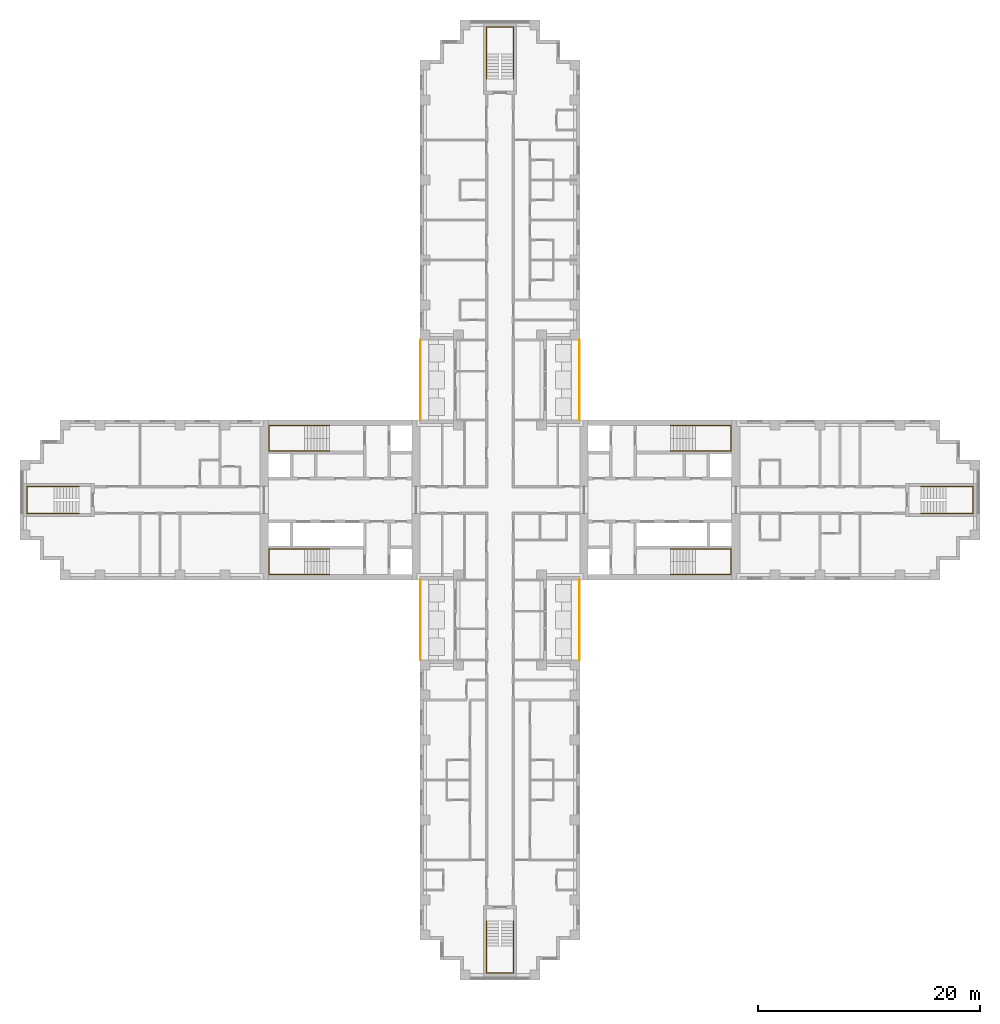
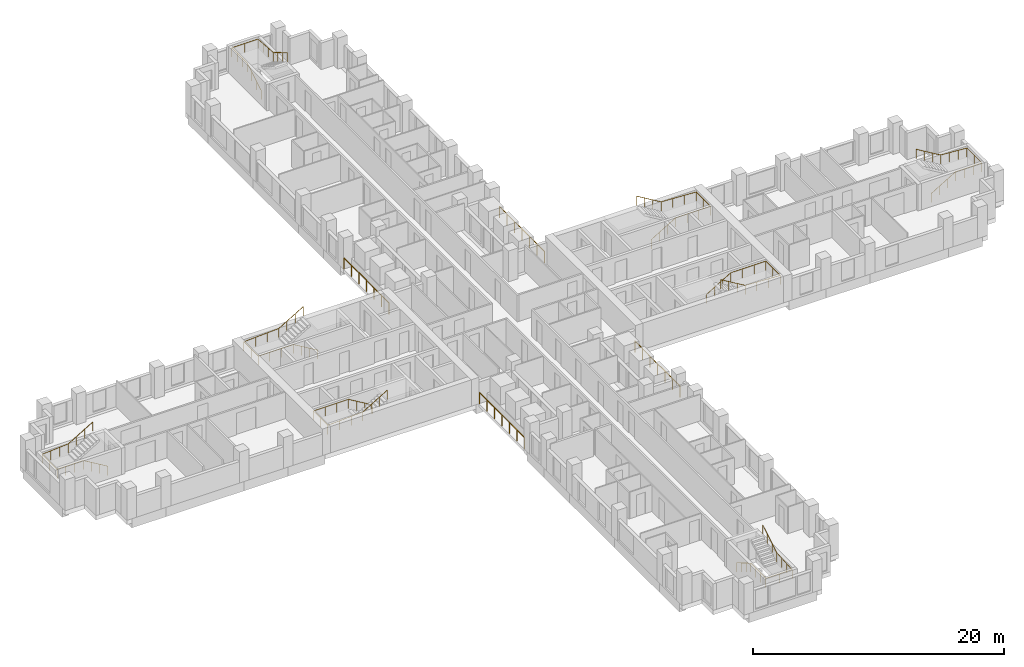
# One storey, part 14 of 15: 12 railings.
"""IFC4 building model written with IfcOpenShell, lengths in metres."""

from ifc_helpers import new_model, si_unit, direction, frame, origin, origin_2d, place, context, subcontext, project, spatial, circle, extrude, material, type_object, element, save


model = new_model("IFC4")

# Units and contexts
model_context = context("Model", 3, precision=1e-05, world=origin(), true_north=direction((0.0, 1.0)))
body_context = subcontext(model_context, "Body", "Model", "MODEL_VIEW")
ifc_project = project(units=[si_unit("LENGTHUNIT", "METRE"), si_unit("AREAUNIT", "SQUARE_METRE"), si_unit("VOLUMEUNIT", "CUBIC_METRE"), si_unit("PLANEANGLEUNIT", "RADIAN"), si_unit("MASSUNIT", "GRAM", prefix="KILO")], contexts=[model_context])

# Site, building, storey
site_placement = place(None, origin())
site = spatial("IfcSite", under=ifc_project, at=site_placement, CompositionType="ELEMENT")
building_placement = place(site_placement, origin())
building = spatial("IfcBuilding", under=site, at=building_placement, Name="Fustian Cross Tower", CompositionType="ELEMENT")
storey_placement = place(building_placement, frame((0.0, 0.0, 53.699951171875)))
storey = spatial("IfcBuildingStorey", under=building, at=storey_placement, Name="L16", CompositionType="ELEMENT", Elevation=53.699951171875)

# Railings
ifc_material_1 = material(Name="Stainless steel and glass", Category="steel")
railing_type_1 = type_object("IfcRailingType", Name="GR1 BALCONY GUARD 1100", PredefinedType="GUARDRAIL", material=ifc_material_1)
for number, where, name in (
    (1, (7.14990234375, 7.199951171875, 0.0), "Balcony guard"),
    (2, (-7.14990234375, 7.199951171875, 0.0), "Balcony guard"),
    (3, (7.14990234375, -14.39990234375, 0.0), "Balcony guard"),
    (4, (-7.14990234375, -14.39990234375, 0.0), "Balcony guard"),
):
    element("IfcRailing", number, at=place(storey_placement, frame(where)), inside=storey, type_object=railing_type_1, Name=name, PredefinedType="GUARDRAIL", context=body_context, shape_type="SweptSolid", body=[
        extrude(circle(Radius=0.02392578125, at=origin_2d()), frame((0.0, 0.0, 1.076171875), z_axis=(0.0, 1.0, 0.0), x_axis=(-1.0, 0.0, 0.0)), (0.0, 0.0, 1.0), 7.199951171875),
        extrude(circle(Radius=0.02099609375, at=origin_2d()), origin(), (0.0, 0.0, 1.0), 1.052001953125),
        extrude(circle(Radius=0.02099609375, at=origin_2d()), frame((0.0, 1.199951171875, 0.0)), (0.0, 0.0, 1.0), 1.052001953125),
        extrude(circle(Radius=0.02099609375, at=origin_2d()), frame((0.0, 2.39990234375, 0.0)), (0.0, 0.0, 1.0), 1.052001953125),
        extrude(circle(Radius=0.02099609375, at=origin_2d()), frame((0.0, 3.60009765625, 0.0)), (0.0, 0.0, 1.0), 1.052001953125),
        extrude(circle(Radius=0.02099609375, at=origin_2d()), frame((0.0, 4.800048828125, 0.0)), (0.0, 0.0, 1.0), 1.052001953125),
        extrude(circle(Radius=0.02099609375, at=origin_2d()), frame((0.0, 6.0, 0.0)), (0.0, 0.0, 1.0), 1.052001953125),
        extrude(circle(Radius=0.02099609375, at=origin_2d()), frame((0.0, 7.199951171875, 0.0)), (0.0, 0.0, 1.0), 1.052001953125),
    ])
ifc_material_2 = material(Name="Stainless steel", Category="steel")
railing_type_2 = type_object("IfcRailingType", Name="STAIR HANDRAIL", PredefinedType="HANDRAIL", material=ifc_material_2)
railing_1_placement = place(storey_placement, frame((15.35009765625, 4.39990234375, 0.166748046875)))
element("IfcRailing", 5, at=railing_1_placement, inside=storey, type_object=railing_type_2, Name="Stair ST1 handrail 1", PredefinedType="HANDRAIL", context=body_context, shape_type="SweptSolid", body=[
    extrude(circle(Radius=0.02490234375, at=origin_2d()), frame((0.0, 0.0, 0.875), z_axis=(0.859305625298, 0.0, 0.511462454469), x_axis=(0.0, 1.0, 0.0)), (0.0, 0.0, 1.0), 2.606689453125),
    extrude(circle(Radius=0.02490234375, at=origin_2d()), frame((2.239990234375, 0.0, 2.2080078125), z_axis=(1.0, 0.0, 0.0), x_axis=(0.0, 1.0, 0.0)), (0.0, 0.0, 1.0), 3.219970703125),
    extrude(circle(Radius=0.02490234375, at=origin_2d()), frame((5.4599609375, 0.0, 2.2080078125), z_axis=(0.0, 1.0, 0.0), x_axis=(-1.0, 0.0, 0.0)), (0.0, 0.0, 1.0), 2.300048828125),
    extrude(circle(Radius=0.02490234375, at=origin_2d()), frame((5.4599609375, 2.300048828125, 2.2080078125), z_axis=(-0.998661817807, 0.0, 0.051716280352), x_axis=(0.0, -1.0, 0.0)), (0.0, 0.0, 1.0), 3.224365234375),
    extrude(circle(Radius=0.02490234375, at=origin_2d()), frame((2.239990234375, 2.300048828125, 2.375), z_axis=(-0.859305625298, 0.0, 0.511462454469), x_axis=(0.0, -1.0, 0.0)), (0.0, 0.0, 1.0), 2.606689453125),
    extrude(circle(Radius=0.02001953125, at=origin_2d()), origin(), (0.0, 0.0, 1.0), 0.849853515625),
    extrude(circle(Radius=0.02001953125, at=origin_2d()), frame((0.74658203125, 0.0, 0.4443359375)), (0.0, 0.0, 1.0), 0.849853515625),
    extrude(circle(Radius=0.02001953125, at=origin_2d()), frame((1.493408203125, 0.0, 0.888916015625)), (0.0, 0.0, 1.0), 0.849853515625),
    extrude(circle(Radius=0.02001953125, at=origin_2d()), frame((2.239990234375, 0.0, 1.333251953125)), (0.0, 0.0, 1.0), 0.849853515625),
    extrude(circle(Radius=0.02001953125, at=origin_2d()), frame((3.313232421875, 0.0, 1.333251953125)), (0.0, 0.0, 1.0), 0.849853515625),
    extrude(circle(Radius=0.02001953125, at=origin_2d()), frame((4.38671875, 0.0, 1.333251953125)), (0.0, 0.0, 1.0), 0.849853515625),
    extrude(circle(Radius=0.02001953125, at=origin_2d()), frame((5.4599609375, 0.0, 1.333251953125)), (0.0, 0.0, 1.0), 0.849853515625),
    extrude(circle(Radius=0.02001953125, at=origin_2d()), frame((5.4599609375, 1.14990234375, 1.333251953125)), (0.0, 0.0, 1.0), 0.849853515625),
    extrude(circle(Radius=0.02001953125, at=origin_2d()), frame((5.4599609375, 2.300048828125, 1.333251953125)), (0.0, 0.0, 1.0), 0.849853515625),
    extrude(circle(Radius=0.02001953125, at=origin_2d()), frame((4.38671875, 2.300048828125, 1.388916015625)), (0.0, 0.0, 1.0), 0.849853515625),
    extrude(circle(Radius=0.02001953125, at=origin_2d()), frame((3.313232421875, 2.300048828125, 1.4443359375)), (0.0, 0.0, 1.0), 0.849853515625),
    extrude(circle(Radius=0.02001953125, at=origin_2d()), frame((2.239990234375, 2.300048828125, 1.5)), (0.0, 0.0, 1.0), 0.849853515625),
    extrude(circle(Radius=0.02001953125, at=origin_2d()), frame((1.493408203125, 2.300048828125, 1.9443359375)), (0.0, 0.0, 1.0), 0.849853515625),
    extrude(circle(Radius=0.02001953125, at=origin_2d()), frame((0.74658203125, 2.300048828125, 2.388916015625)), (0.0, 0.0, 1.0), 0.849853515625),
    extrude(circle(Radius=0.02001953125, at=origin_2d()), frame((0.0, 2.300048828125, 2.833251953125)), (0.0, 0.0, 1.0), 0.849853515625),
])
railing_2_placement = place(storey_placement, frame((15.35009765625, -4.39990234375, 0.166748046875)))
element("IfcRailing", 6, at=railing_2_placement, inside=storey, type_object=railing_type_2, Name="Stair ST2 handrail 1", PredefinedType="HANDRAIL", context=body_context, shape_type="SweptSolid", body=[
    extrude(circle(Radius=0.02490234375, at=origin_2d()), frame((0.0, 0.0, 0.875), z_axis=(0.859305625298, 0.0, 0.511462454469), x_axis=(0.0, 1.0, 0.0)), (0.0, 0.0, 1.0), 2.606689453125),
    extrude(circle(Radius=0.02490234375, at=origin_2d()), frame((2.239990234375, 0.0, 2.2080078125), z_axis=(1.0, 0.0, 0.0), x_axis=(0.0, 1.0, 0.0)), (0.0, 0.0, 1.0), 3.219970703125),
    extrude(circle(Radius=0.02490234375, at=origin_2d()), frame((5.4599609375, 0.0, 2.2080078125), z_axis=(0.0, -1.0, 0.0), x_axis=(1.0, 0.0, 0.0)), (0.0, 0.0, 1.0), 2.300048828125),
    extrude(circle(Radius=0.02490234375, at=origin_2d()), frame((5.4599609375, -2.300048828125, 2.2080078125), z_axis=(-0.998661817807, 0.0, 0.051716280352), x_axis=(0.0, -1.0, 0.0)), (0.0, 0.0, 1.0), 3.224365234375),
    extrude(circle(Radius=0.02490234375, at=origin_2d()), frame((2.239990234375, -2.300048828125, 2.375), z_axis=(-0.859305625298, 0.0, 0.511462454469), x_axis=(0.0, -1.0, 0.0)), (0.0, 0.0, 1.0), 2.606689453125),
    extrude(circle(Radius=0.02001953125, at=origin_2d()), origin(), (0.0, 0.0, 1.0), 0.849853515625),
    extrude(circle(Radius=0.02001953125, at=origin_2d()), frame((0.74658203125, 0.0, 0.4443359375)), (0.0, 0.0, 1.0), 0.849853515625),
    extrude(circle(Radius=0.02001953125, at=origin_2d()), frame((1.493408203125, 0.0, 0.888916015625)), (0.0, 0.0, 1.0), 0.849853515625),
    extrude(circle(Radius=0.02001953125, at=origin_2d()), frame((2.239990234375, 0.0, 1.333251953125)), (0.0, 0.0, 1.0), 0.849853515625),
    extrude(circle(Radius=0.02001953125, at=origin_2d()), frame((3.313232421875, 0.0, 1.333251953125)), (0.0, 0.0, 1.0), 0.849853515625),
    extrude(circle(Radius=0.02001953125, at=origin_2d()), frame((4.38671875, 0.0, 1.333251953125)), (0.0, 0.0, 1.0), 0.849853515625),
    extrude(circle(Radius=0.02001953125, at=origin_2d()), frame((5.4599609375, 0.0, 1.333251953125)), (0.0, 0.0, 1.0), 0.849853515625),
    extrude(circle(Radius=0.02001953125, at=origin_2d()), frame((5.4599609375, -1.14990234375, 1.333251953125)), (0.0, 0.0, 1.0), 0.849853515625),
    extrude(circle(Radius=0.02001953125, at=origin_2d()), frame((5.4599609375, -2.300048828125, 1.333251953125)), (0.0, 0.0, 1.0), 0.849853515625),
    extrude(circle(Radius=0.02001953125, at=origin_2d()), frame((4.38671875, -2.300048828125, 1.388916015625)), (0.0, 0.0, 1.0), 0.849853515625),
    extrude(circle(Radius=0.02001953125, at=origin_2d()), frame((3.313232421875, -2.300048828125, 1.4443359375)), (0.0, 0.0, 1.0), 0.849853515625),
    extrude(circle(Radius=0.02001953125, at=origin_2d()), frame((2.239990234375, -2.300048828125, 1.5)), (0.0, 0.0, 1.0), 0.849853515625),
    extrude(circle(Radius=0.02001953125, at=origin_2d()), frame((1.493408203125, -2.300048828125, 1.9443359375)), (0.0, 0.0, 1.0), 0.849853515625),
    extrude(circle(Radius=0.02001953125, at=origin_2d()), frame((0.74658203125, -2.300048828125, 2.388916015625)), (0.0, 0.0, 1.0), 0.849853515625),
    extrude(circle(Radius=0.02001953125, at=origin_2d()), frame((0.0, -2.300048828125, 2.833251953125)), (0.0, 0.0, 1.0), 0.849853515625),
])
railing_3_placement = place(storey_placement, frame((-15.35009765625, 4.39990234375, 0.166748046875)))
element("IfcRailing", 7, at=railing_3_placement, inside=storey, type_object=railing_type_2, Name="Stair ST3 handrail 1", PredefinedType="HANDRAIL", context=body_context, shape_type="SweptSolid", body=[
    extrude(circle(Radius=0.02490234375, at=origin_2d()), frame((0.0, 0.0, 0.875), z_axis=(-0.859305625298, 0.0, 0.511462454469), x_axis=(0.0, -1.0, 0.0)), (0.0, 0.0, 1.0), 2.606689453125),
    extrude(circle(Radius=0.02490234375, at=origin_2d()), frame((-2.239990234375, 0.0, 2.2080078125), z_axis=(-1.0, 0.0, 0.0), x_axis=(0.0, -1.0, 0.0)), (0.0, 0.0, 1.0), 3.219970703125),
    extrude(circle(Radius=0.02490234375, at=origin_2d()), frame((-5.4599609375, 0.0, 2.2080078125), z_axis=(0.0, 1.0, 0.0), x_axis=(-1.0, 0.0, 0.0)), (0.0, 0.0, 1.0), 2.300048828125),
    extrude(circle(Radius=0.02490234375, at=origin_2d()), frame((-5.4599609375, 2.300048828125, 2.2080078125), z_axis=(0.998661817807, 0.0, 0.051716280352), x_axis=(0.0, 1.0, 0.0)), (0.0, 0.0, 1.0), 3.224365234375),
    extrude(circle(Radius=0.02490234375, at=origin_2d()), frame((-2.239990234375, 2.300048828125, 2.375), z_axis=(0.859305625298, 0.0, 0.511462454469), x_axis=(0.0, 1.0, 0.0)), (0.0, 0.0, 1.0), 2.606689453125),
    extrude(circle(Radius=0.02001953125, at=origin_2d()), origin(), (0.0, 0.0, 1.0), 0.849853515625),
    extrude(circle(Radius=0.02001953125, at=origin_2d()), frame((-0.74658203125, 0.0, 0.4443359375)), (0.0, 0.0, 1.0), 0.849853515625),
    extrude(circle(Radius=0.02001953125, at=origin_2d()), frame((-1.493408203125, 0.0, 0.888916015625)), (0.0, 0.0, 1.0), 0.849853515625),
    extrude(circle(Radius=0.02001953125, at=origin_2d()), frame((-2.239990234375, 0.0, 1.333251953125)), (0.0, 0.0, 1.0), 0.849853515625),
    extrude(circle(Radius=0.02001953125, at=origin_2d()), frame((-3.313232421875, 0.0, 1.333251953125)), (0.0, 0.0, 1.0), 0.849853515625),
    extrude(circle(Radius=0.02001953125, at=origin_2d()), frame((-4.38671875, 0.0, 1.333251953125)), (0.0, 0.0, 1.0), 0.849853515625),
    extrude(circle(Radius=0.02001953125, at=origin_2d()), frame((-5.4599609375, 0.0, 1.333251953125)), (0.0, 0.0, 1.0), 0.849853515625),
    extrude(circle(Radius=0.02001953125, at=origin_2d()), frame((-5.4599609375, 1.14990234375, 1.333251953125)), (0.0, 0.0, 1.0), 0.849853515625),
    extrude(circle(Radius=0.02001953125, at=origin_2d()), frame((-5.4599609375, 2.300048828125, 1.333251953125)), (0.0, 0.0, 1.0), 0.849853515625),
    extrude(circle(Radius=0.02001953125, at=origin_2d()), frame((-4.38671875, 2.300048828125, 1.388916015625)), (0.0, 0.0, 1.0), 0.849853515625),
    extrude(circle(Radius=0.02001953125, at=origin_2d()), frame((-3.313232421875, 2.300048828125, 1.4443359375)), (0.0, 0.0, 1.0), 0.849853515625),
    extrude(circle(Radius=0.02001953125, at=origin_2d()), frame((-2.239990234375, 2.300048828125, 1.5)), (0.0, 0.0, 1.0), 0.849853515625),
    extrude(circle(Radius=0.02001953125, at=origin_2d()), frame((-1.493408203125, 2.300048828125, 1.9443359375)), (0.0, 0.0, 1.0), 0.849853515625),
    extrude(circle(Radius=0.02001953125, at=origin_2d()), frame((-0.74658203125, 2.300048828125, 2.388916015625)), (0.0, 0.0, 1.0), 0.849853515625),
    extrude(circle(Radius=0.02001953125, at=origin_2d()), frame((0.0, 2.300048828125, 2.833251953125)), (0.0, 0.0, 1.0), 0.849853515625),
])
railing_4_placement = place(storey_placement, frame((-15.35009765625, -4.39990234375, 0.166748046875)))
element("IfcRailing", 8, at=railing_4_placement, inside=storey, type_object=railing_type_2, Name="Stair ST4 handrail 1", PredefinedType="HANDRAIL", context=body_context, shape_type="SweptSolid", body=[
    extrude(circle(Radius=0.02490234375, at=origin_2d()), frame((0.0, 0.0, 0.875), z_axis=(-0.859305625298, 0.0, 0.511462454469), x_axis=(0.0, -1.0, 0.0)), (0.0, 0.0, 1.0), 2.606689453125),
    extrude(circle(Radius=0.02490234375, at=origin_2d()), frame((-2.239990234375, 0.0, 2.2080078125), z_axis=(-1.0, 0.0, 0.0), x_axis=(0.0, -1.0, 0.0)), (0.0, 0.0, 1.0), 3.219970703125),
    extrude(circle(Radius=0.02490234375, at=origin_2d()), frame((-5.4599609375, 0.0, 2.2080078125), z_axis=(0.0, -1.0, 0.0), x_axis=(1.0, 0.0, 0.0)), (0.0, 0.0, 1.0), 2.300048828125),
    extrude(circle(Radius=0.02490234375, at=origin_2d()), frame((-5.4599609375, -2.300048828125, 2.2080078125), z_axis=(0.998661817807, 0.0, 0.051716280352), x_axis=(0.0, 1.0, 0.0)), (0.0, 0.0, 1.0), 3.224365234375),
    extrude(circle(Radius=0.02490234375, at=origin_2d()), frame((-2.239990234375, -2.300048828125, 2.375), z_axis=(0.859305625298, 0.0, 0.511462454469), x_axis=(0.0, 1.0, 0.0)), (0.0, 0.0, 1.0), 2.606689453125),
    extrude(circle(Radius=0.02001953125, at=origin_2d()), origin(), (0.0, 0.0, 1.0), 0.849853515625),
    extrude(circle(Radius=0.02001953125, at=origin_2d()), frame((-0.74658203125, 0.0, 0.4443359375)), (0.0, 0.0, 1.0), 0.849853515625),
    extrude(circle(Radius=0.02001953125, at=origin_2d()), frame((-1.493408203125, 0.0, 0.888916015625)), (0.0, 0.0, 1.0), 0.849853515625),
    extrude(circle(Radius=0.02001953125, at=origin_2d()), frame((-2.239990234375, 0.0, 1.333251953125)), (0.0, 0.0, 1.0), 0.849853515625),
    extrude(circle(Radius=0.02001953125, at=origin_2d()), frame((-3.313232421875, 0.0, 1.333251953125)), (0.0, 0.0, 1.0), 0.849853515625),
    extrude(circle(Radius=0.02001953125, at=origin_2d()), frame((-4.38671875, 0.0, 1.333251953125)), (0.0, 0.0, 1.0), 0.849853515625),
    extrude(circle(Radius=0.02001953125, at=origin_2d()), frame((-5.4599609375, 0.0, 1.333251953125)), (0.0, 0.0, 1.0), 0.849853515625),
    extrude(circle(Radius=0.02001953125, at=origin_2d()), frame((-5.4599609375, -1.14990234375, 1.333251953125)), (0.0, 0.0, 1.0), 0.849853515625),
    extrude(circle(Radius=0.02001953125, at=origin_2d()), frame((-5.4599609375, -2.300048828125, 1.333251953125)), (0.0, 0.0, 1.0), 0.849853515625),
    extrude(circle(Radius=0.02001953125, at=origin_2d()), frame((-4.38671875, -2.300048828125, 1.388916015625)), (0.0, 0.0, 1.0), 0.849853515625),
    extrude(circle(Radius=0.02001953125, at=origin_2d()), frame((-3.313232421875, -2.300048828125, 1.4443359375)), (0.0, 0.0, 1.0), 0.849853515625),
    extrude(circle(Radius=0.02001953125, at=origin_2d()), frame((-2.239990234375, -2.300048828125, 1.5)), (0.0, 0.0, 1.0), 0.849853515625),
    extrude(circle(Radius=0.02001953125, at=origin_2d()), frame((-1.493408203125, -2.300048828125, 1.9443359375)), (0.0, 0.0, 1.0), 0.849853515625),
    extrude(circle(Radius=0.02001953125, at=origin_2d()), frame((-0.74658203125, -2.300048828125, 2.388916015625)), (0.0, 0.0, 1.0), 0.849853515625),
    extrude(circle(Radius=0.02001953125, at=origin_2d()), frame((0.0, -2.300048828125, 2.833251953125)), (0.0, 0.0, 1.0), 0.849853515625),
])
railing_5_placement = place(storey_placement, frame((-1.199951171875, 37.89990234375, 0.166748046875)))
element("IfcRailing", 9, at=railing_5_placement, inside=storey, type_object=railing_type_2, Name="Stair ST5 handrail 1", PredefinedType="HANDRAIL", context=body_context, shape_type="SweptSolid", body=[
    extrude(circle(Radius=0.02490234375, at=origin_2d()), frame((0.0, 0.0, 0.875), z_axis=(0.0, 0.859305625298, 0.511462454469), x_axis=(-1.0, 0.0, 0.0)), (0.0, 0.0, 1.0), 2.606689453125),
    extrude(circle(Radius=0.02490234375, at=origin_2d()), frame((0.0, 2.239990234375, 2.2080078125), z_axis=(0.0, 1.0, 0.0), x_axis=(-1.0, 0.0, 0.0)), (0.0, 0.0, 1.0), 2.420166015625),
    extrude(circle(Radius=0.02490234375, at=origin_2d()), frame((0.0, 4.66015625, 2.2080078125), z_axis=(1.0, 0.0, 0.0), x_axis=(0.0, 1.0, 0.0)), (0.0, 0.0, 1.0), 2.39990234375),
    extrude(circle(Radius=0.02490234375, at=origin_2d()), frame((2.39990234375, 4.66015625, 2.2080078125), z_axis=(0.0, -0.997634852044, 0.068736467663), x_axis=(1.0, 0.0, 0.0)), (0.0, 0.0, 1.0), 2.426025390625),
    extrude(circle(Radius=0.02490234375, at=origin_2d()), frame((2.39990234375, 2.239990234375, 2.375), z_axis=(0.0, -0.859305625298, 0.511462454469), x_axis=(1.0, 0.0, 0.0)), (0.0, 0.0, 1.0), 2.606689453125),
    extrude(circle(Radius=0.02001953125, at=origin_2d()), origin(), (0.0, 0.0, 1.0), 0.849853515625),
    extrude(circle(Radius=0.02001953125, at=origin_2d()), frame((0.0, 0.74658203125, 0.4443359375)), (0.0, 0.0, 1.0), 0.849853515625),
    extrude(circle(Radius=0.02001953125, at=origin_2d()), frame((0.0, 1.493408203125, 0.888916015625)), (0.0, 0.0, 1.0), 0.849853515625),
    extrude(circle(Radius=0.02001953125, at=origin_2d()), frame((0.0, 2.239990234375, 1.333251953125)), (0.0, 0.0, 1.0), 0.849853515625),
    extrude(circle(Radius=0.02001953125, at=origin_2d()), frame((0.0, 3.046630859375, 1.333251953125)), (0.0, 0.0, 1.0), 0.849853515625),
    extrude(circle(Radius=0.02001953125, at=origin_2d()), frame((0.0, 3.853515625, 1.333251953125)), (0.0, 0.0, 1.0), 0.849853515625),
    extrude(circle(Radius=0.02001953125, at=origin_2d()), frame((0.0, 4.66015625, 1.333251953125)), (0.0, 0.0, 1.0), 0.849853515625),
    extrude(circle(Radius=0.02001953125, at=origin_2d()), frame((1.199951171875, 4.66015625, 1.333251953125)), (0.0, 0.0, 1.0), 0.849853515625),
    extrude(circle(Radius=0.02001953125, at=origin_2d()), frame((2.39990234375, 4.66015625, 1.333251953125)), (0.0, 0.0, 1.0), 0.849853515625),
    extrude(circle(Radius=0.02001953125, at=origin_2d()), frame((2.39990234375, 3.853515625, 1.388916015625)), (0.0, 0.0, 1.0), 0.849853515625),
    extrude(circle(Radius=0.02001953125, at=origin_2d()), frame((2.39990234375, 3.046630859375, 1.4443359375)), (0.0, 0.0, 1.0), 0.849853515625),
    extrude(circle(Radius=0.02001953125, at=origin_2d()), frame((2.39990234375, 2.239990234375, 1.5)), (0.0, 0.0, 1.0), 0.849853515625),
    extrude(circle(Radius=0.02001953125, at=origin_2d()), frame((2.39990234375, 1.493408203125, 1.9443359375)), (0.0, 0.0, 1.0), 0.849853515625),
    extrude(circle(Radius=0.02001953125, at=origin_2d()), frame((2.39990234375, 0.74658203125, 2.388916015625)), (0.0, 0.0, 1.0), 0.849853515625),
    extrude(circle(Radius=0.02001953125, at=origin_2d()), frame((2.39990234375, 0.0, 2.833251953125)), (0.0, 0.0, 1.0), 0.849853515625),
])
railing_6_placement = place(storey_placement, frame((-1.199951171875, -37.89990234375, 0.166748046875)))
element("IfcRailing", 10, at=railing_6_placement, inside=storey, type_object=railing_type_2, Name="Stair ST6 handrail 1", PredefinedType="HANDRAIL", context=body_context, shape_type="SweptSolid", body=[
    extrude(circle(Radius=0.02490234375, at=origin_2d()), frame((0.0, 0.0, 0.875), z_axis=(0.0, -0.859305625298, 0.511462454469), x_axis=(1.0, 0.0, 0.0)), (0.0, 0.0, 1.0), 2.606689453125),
    extrude(circle(Radius=0.02490234375, at=origin_2d()), frame((0.0, -2.239990234375, 2.2080078125), z_axis=(0.0, -1.0, 0.0), x_axis=(1.0, 0.0, 0.0)), (0.0, 0.0, 1.0), 2.420166015625),
    extrude(circle(Radius=0.02490234375, at=origin_2d()), frame((0.0, -4.66015625, 2.2080078125), z_axis=(1.0, 0.0, 0.0), x_axis=(0.0, 1.0, 0.0)), (0.0, 0.0, 1.0), 2.39990234375),
    extrude(circle(Radius=0.02490234375, at=origin_2d()), frame((2.39990234375, -4.66015625, 2.2080078125), z_axis=(0.0, 0.997634852044, 0.068736467663), x_axis=(-1.0, 0.0, 0.0)), (0.0, 0.0, 1.0), 2.426025390625),
    extrude(circle(Radius=0.02490234375, at=origin_2d()), frame((2.39990234375, -2.239990234375, 2.375), z_axis=(0.0, 0.859305625298, 0.511462454469), x_axis=(-1.0, 0.0, 0.0)), (0.0, 0.0, 1.0), 2.606689453125),
    extrude(circle(Radius=0.02001953125, at=origin_2d()), origin(), (0.0, 0.0, 1.0), 0.849853515625),
    extrude(circle(Radius=0.02001953125, at=origin_2d()), frame((0.0, -0.74658203125, 0.4443359375)), (0.0, 0.0, 1.0), 0.849853515625),
    extrude(circle(Radius=0.02001953125, at=origin_2d()), frame((0.0, -1.493408203125, 0.888916015625)), (0.0, 0.0, 1.0), 0.849853515625),
    extrude(circle(Radius=0.02001953125, at=origin_2d()), frame((0.0, -2.239990234375, 1.333251953125)), (0.0, 0.0, 1.0), 0.849853515625),
    extrude(circle(Radius=0.02001953125, at=origin_2d()), frame((0.0, -3.046630859375, 1.333251953125)), (0.0, 0.0, 1.0), 0.849853515625),
    extrude(circle(Radius=0.02001953125, at=origin_2d()), frame((0.0, -3.853515625, 1.333251953125)), (0.0, 0.0, 1.0), 0.849853515625),
    extrude(circle(Radius=0.02001953125, at=origin_2d()), frame((0.0, -4.66015625, 1.333251953125)), (0.0, 0.0, 1.0), 0.849853515625),
    extrude(circle(Radius=0.02001953125, at=origin_2d()), frame((1.199951171875, -4.66015625, 1.333251953125)), (0.0, 0.0, 1.0), 0.849853515625),
    extrude(circle(Radius=0.02001953125, at=origin_2d()), frame((2.39990234375, -4.66015625, 1.333251953125)), (0.0, 0.0, 1.0), 0.849853515625),
    extrude(circle(Radius=0.02001953125, at=origin_2d()), frame((2.39990234375, -3.853515625, 1.388916015625)), (0.0, 0.0, 1.0), 0.849853515625),
    extrude(circle(Radius=0.02001953125, at=origin_2d()), frame((2.39990234375, -3.046630859375, 1.4443359375)), (0.0, 0.0, 1.0), 0.849853515625),
    extrude(circle(Radius=0.02001953125, at=origin_2d()), frame((2.39990234375, -2.239990234375, 1.5)), (0.0, 0.0, 1.0), 0.849853515625),
    extrude(circle(Radius=0.02001953125, at=origin_2d()), frame((2.39990234375, -1.493408203125, 1.9443359375)), (0.0, 0.0, 1.0), 0.849853515625),
    extrude(circle(Radius=0.02001953125, at=origin_2d()), frame((2.39990234375, -0.74658203125, 2.388916015625)), (0.0, 0.0, 1.0), 0.849853515625),
    extrude(circle(Radius=0.02001953125, at=origin_2d()), frame((2.39990234375, 0.0, 2.833251953125)), (0.0, 0.0, 1.0), 0.849853515625),
])
railing_7_placement = place(storey_placement, frame((37.89990234375, -1.199951171875, 0.166748046875)))
element("IfcRailing", 11, at=railing_7_placement, inside=storey, type_object=railing_type_2, Name="Stair ST8 handrail 1", PredefinedType="HANDRAIL", context=body_context, shape_type="SweptSolid", body=[
    extrude(circle(Radius=0.02490234375, at=origin_2d()), frame((0.0, 0.0, 0.875), z_axis=(0.859305625298, 0.0, 0.511462454469), x_axis=(0.0, 1.0, 0.0)), (0.0, 0.0, 1.0), 2.606689453125),
    extrude(circle(Radius=0.02490234375, at=origin_2d()), frame((2.239990234375, 0.0, 2.2080078125), z_axis=(1.0, 0.0, 0.0), x_axis=(0.0, 1.0, 0.0)), (0.0, 0.0, 1.0), 2.420166015625),
    extrude(circle(Radius=0.02490234375, at=origin_2d()), frame((4.66015625, 0.0, 2.2080078125), z_axis=(0.0, 1.0, 0.0), x_axis=(-1.0, 0.0, 0.0)), (0.0, 0.0, 1.0), 2.39990234375),
    extrude(circle(Radius=0.02490234375, at=origin_2d()), frame((4.66015625, 2.39990234375, 2.2080078125), z_axis=(-0.997634852044, 0.0, 0.068736467663), x_axis=(0.0, -1.0, 0.0)), (0.0, 0.0, 1.0), 2.426025390625),
    extrude(circle(Radius=0.02490234375, at=origin_2d()), frame((2.239990234375, 2.39990234375, 2.375), z_axis=(-0.859305625298, 0.0, 0.511462454469), x_axis=(0.0, -1.0, 0.0)), (0.0, 0.0, 1.0), 2.606689453125),
    extrude(circle(Radius=0.02001953125, at=origin_2d()), origin(), (0.0, 0.0, 1.0), 0.849853515625),
    extrude(circle(Radius=0.02001953125, at=origin_2d()), frame((0.74658203125, 0.0, 0.4443359375)), (0.0, 0.0, 1.0), 0.849853515625),
    extrude(circle(Radius=0.02001953125, at=origin_2d()), frame((1.493408203125, 0.0, 0.888916015625)), (0.0, 0.0, 1.0), 0.849853515625),
    extrude(circle(Radius=0.02001953125, at=origin_2d()), frame((2.239990234375, 0.0, 1.333251953125)), (0.0, 0.0, 1.0), 0.849853515625),
    extrude(circle(Radius=0.02001953125, at=origin_2d()), frame((3.046630859375, 0.0, 1.333251953125)), (0.0, 0.0, 1.0), 0.849853515625),
    extrude(circle(Radius=0.02001953125, at=origin_2d()), frame((3.853515625, 0.0, 1.333251953125)), (0.0, 0.0, 1.0), 0.849853515625),
    extrude(circle(Radius=0.02001953125, at=origin_2d()), frame((4.66015625, 0.0, 1.333251953125)), (0.0, 0.0, 1.0), 0.849853515625),
    extrude(circle(Radius=0.02001953125, at=origin_2d()), frame((4.66015625, 1.199951171875, 1.333251953125)), (0.0, 0.0, 1.0), 0.849853515625),
    extrude(circle(Radius=0.02001953125, at=origin_2d()), frame((4.66015625, 2.39990234375, 1.333251953125)), (0.0, 0.0, 1.0), 0.849853515625),
    extrude(circle(Radius=0.02001953125, at=origin_2d()), frame((3.853515625, 2.39990234375, 1.388916015625)), (0.0, 0.0, 1.0), 0.849853515625),
    extrude(circle(Radius=0.02001953125, at=origin_2d()), frame((3.046630859375, 2.39990234375, 1.4443359375)), (0.0, 0.0, 1.0), 0.849853515625),
    extrude(circle(Radius=0.02001953125, at=origin_2d()), frame((2.239990234375, 2.39990234375, 1.5)), (0.0, 0.0, 1.0), 0.849853515625),
    extrude(circle(Radius=0.02001953125, at=origin_2d()), frame((1.493408203125, 2.39990234375, 1.9443359375)), (0.0, 0.0, 1.0), 0.849853515625),
    extrude(circle(Radius=0.02001953125, at=origin_2d()), frame((0.74658203125, 2.39990234375, 2.388916015625)), (0.0, 0.0, 1.0), 0.849853515625),
    extrude(circle(Radius=0.02001953125, at=origin_2d()), frame((0.0, 2.39990234375, 2.833251953125)), (0.0, 0.0, 1.0), 0.849853515625),
])
railing_8_placement = place(storey_placement, frame((-37.89990234375, -1.199951171875, 0.166748046875)))
element("IfcRailing", 12, at=railing_8_placement, inside=storey, type_object=railing_type_2, Name="Stair ST9 handrail 1", PredefinedType="HANDRAIL", context=body_context, shape_type="SweptSolid", body=[
    extrude(circle(Radius=0.02490234375, at=origin_2d()), frame((0.0, 0.0, 0.875), z_axis=(-0.859305625298, 0.0, 0.511462454469), x_axis=(0.0, -1.0, 0.0)), (0.0, 0.0, 1.0), 2.606689453125),
    extrude(circle(Radius=0.02490234375, at=origin_2d()), frame((-2.239990234375, 0.0, 2.2080078125), z_axis=(-1.0, 0.0, 0.0), x_axis=(0.0, -1.0, 0.0)), (0.0, 0.0, 1.0), 2.420166015625),
    extrude(circle(Radius=0.02490234375, at=origin_2d()), frame((-4.66015625, 0.0, 2.2080078125), z_axis=(0.0, 1.0, 0.0), x_axis=(-1.0, 0.0, 0.0)), (0.0, 0.0, 1.0), 2.39990234375),
    extrude(circle(Radius=0.02490234375, at=origin_2d()), frame((-4.66015625, 2.39990234375, 2.2080078125), z_axis=(0.997634852044, 0.0, 0.068736467663), x_axis=(0.0, 1.0, 0.0)), (0.0, 0.0, 1.0), 2.426025390625),
    extrude(circle(Radius=0.02490234375, at=origin_2d()), frame((-2.239990234375, 2.39990234375, 2.375), z_axis=(0.859305625298, 0.0, 0.511462454469), x_axis=(0.0, 1.0, 0.0)), (0.0, 0.0, 1.0), 2.606689453125),
    extrude(circle(Radius=0.02001953125, at=origin_2d()), origin(), (0.0, 0.0, 1.0), 0.849853515625),
    extrude(circle(Radius=0.02001953125, at=origin_2d()), frame((-0.74658203125, 0.0, 0.4443359375)), (0.0, 0.0, 1.0), 0.849853515625),
    extrude(circle(Radius=0.02001953125, at=origin_2d()), frame((-1.493408203125, 0.0, 0.888916015625)), (0.0, 0.0, 1.0), 0.849853515625),
    extrude(circle(Radius=0.02001953125, at=origin_2d()), frame((-2.239990234375, 0.0, 1.333251953125)), (0.0, 0.0, 1.0), 0.849853515625),
    extrude(circle(Radius=0.02001953125, at=origin_2d()), frame((-3.046630859375, 0.0, 1.333251953125)), (0.0, 0.0, 1.0), 0.849853515625),
    extrude(circle(Radius=0.02001953125, at=origin_2d()), frame((-3.853515625, 0.0, 1.333251953125)), (0.0, 0.0, 1.0), 0.849853515625),
    extrude(circle(Radius=0.02001953125, at=origin_2d()), frame((-4.66015625, 0.0, 1.333251953125)), (0.0, 0.0, 1.0), 0.849853515625),
    extrude(circle(Radius=0.02001953125, at=origin_2d()), frame((-4.66015625, 1.199951171875, 1.333251953125)), (0.0, 0.0, 1.0), 0.849853515625),
    extrude(circle(Radius=0.02001953125, at=origin_2d()), frame((-4.66015625, 2.39990234375, 1.333251953125)), (0.0, 0.0, 1.0), 0.849853515625),
    extrude(circle(Radius=0.02001953125, at=origin_2d()), frame((-3.853515625, 2.39990234375, 1.388916015625)), (0.0, 0.0, 1.0), 0.849853515625),
    extrude(circle(Radius=0.02001953125, at=origin_2d()), frame((-3.046630859375, 2.39990234375, 1.4443359375)), (0.0, 0.0, 1.0), 0.849853515625),
    extrude(circle(Radius=0.02001953125, at=origin_2d()), frame((-2.239990234375, 2.39990234375, 1.5)), (0.0, 0.0, 1.0), 0.849853515625),
    extrude(circle(Radius=0.02001953125, at=origin_2d()), frame((-1.493408203125, 2.39990234375, 1.9443359375)), (0.0, 0.0, 1.0), 0.849853515625),
    extrude(circle(Radius=0.02001953125, at=origin_2d()), frame((-0.74658203125, 2.39990234375, 2.388916015625)), (0.0, 0.0, 1.0), 0.849853515625),
    extrude(circle(Radius=0.02001953125, at=origin_2d()), frame((0.0, 2.39990234375, 2.833251953125)), (0.0, 0.0, 1.0), 0.849853515625),
])

save(model, "model.ifc")
